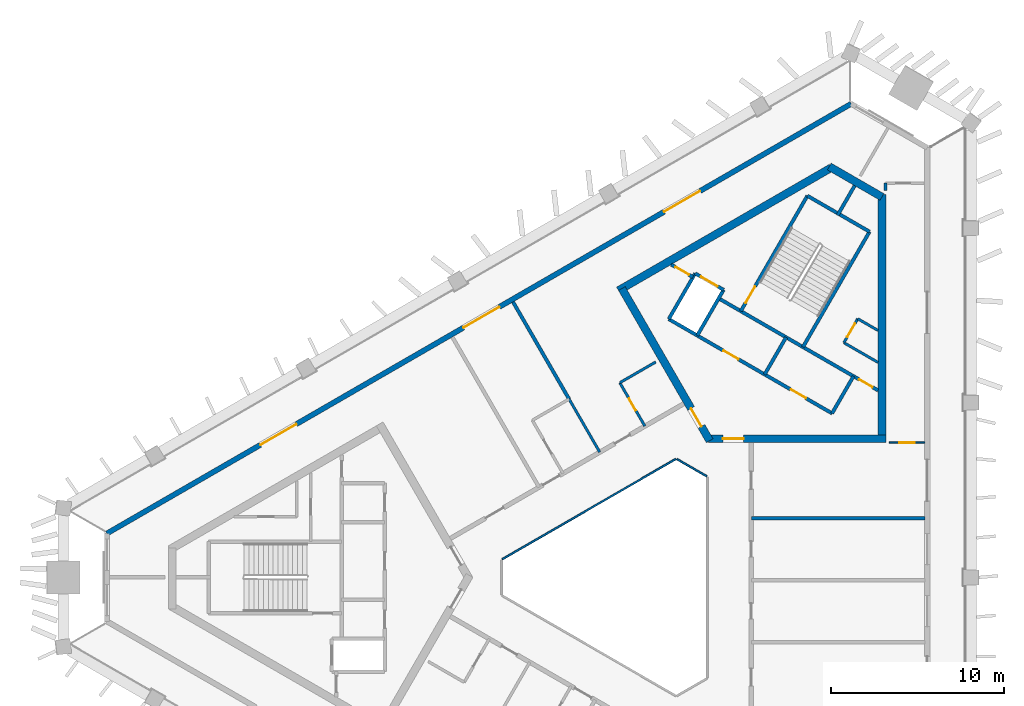
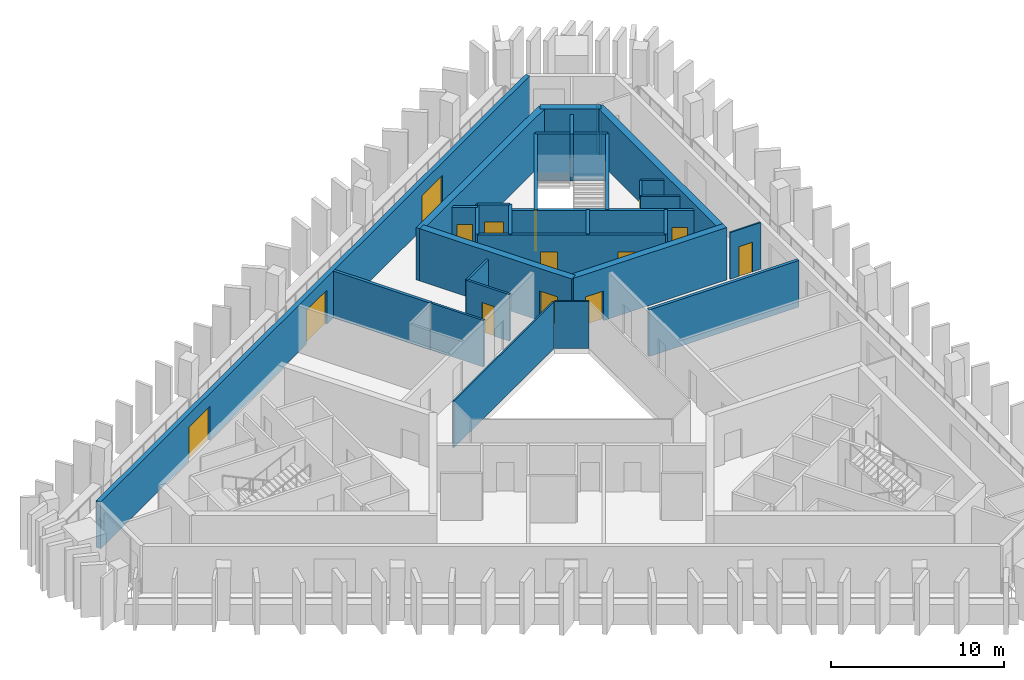
# One storey, part 5 of 9: 30 walls, 14 doors, 14 openings.
"""IFC4 building model written with IfcOpenShell, lengths in metres."""

from ifc_helpers import new_model, si_unit, direction, frame, frame_2d, origin, place, context, subcontext, project, spatial, rectangle, extrude, material, layer, layer_set, type_object, element, fill, save


model = new_model("IFC4")

# Units and contexts
model_context = context("Model", 3, precision=1e-05, world=origin(), true_north=direction((0.0, 1.0)))
body_context = subcontext(model_context, "Body", "Model", "MODEL_VIEW")
ifc_project = project(units=[si_unit("LENGTHUNIT", "METRE"), si_unit("AREAUNIT", "SQUARE_METRE"), si_unit("VOLUMEUNIT", "CUBIC_METRE"), si_unit("PLANEANGLEUNIT", "RADIAN"), si_unit("MASSUNIT", "GRAM", prefix="KILO")], contexts=[model_context])

# Site, building, storey
site_placement = place(None, origin())
site = spatial("IfcSite", under=ifc_project, at=site_placement, CompositionType="ELEMENT")
building_placement = place(site_placement, origin())
building = spatial("IfcBuilding", under=site, at=building_placement, Name="Jabali Bay Hotel Tower and Convention Centre", CompositionType="ELEMENT")
storey_placement = place(building_placement, frame((0.0, 0.0, 239.10009765625)))
storey = spatial("IfcBuildingStorey", under=building, at=storey_placement, Name="L59", CompositionType="ELEMENT", Elevation=239.10009765625)

# Walls
ifc_material_1 = material(Name="Fire-resistant glazing", Category="glass")
ifc_layer_1 = layer(ifc_material_1, 0.10009765625)
ifc_layer_set_1 = layer_set([ifc_layer_1], Name="Fire-resistant glazing")
wall_type_1 = type_object("IfcWallType", Name="Atrium glazed screen 100", PredefinedType="PARTITIONING", material=ifc_layer_set_1)
wall_1_placement = place(storey_placement, frame((79.530029296875, 85.84619140625, 0.0), z_axis=(0.0, 0.0, 1.0), x_axis=(-0.866041268327, 0.499972520799, 0.0)))
element("IfcWall", 1, at=wall_1_placement, inside=storey, type_object=wall_type_1, Name="Atrium screen 2 L59", PredefinedType="PARTITIONING", context=body_context, shape_type="SweptSolid", body=[
    extrude(rectangle(XDim=2.0, YDim=0.10009765625, at=frame_2d((1.0, 0.0))), origin(), (0.0, 0.0, 1.0), 3.2998046875),
])
wall_2_placement = place(storey_placement, frame((77.738037109375, 86.84619140625, 0.0), z_axis=(0.0, 0.0, 1.0), x_axis=(-0.866026658274, -0.499997827154, 0.0)))
element("IfcWall", 2, at=wall_2_placement, inside=storey, type_object=wall_type_1, Name="Atrium screen 3 L59", PredefinedType="PARTITIONING", context=body_context, shape_type="SweptSolid", body=[
    extrude(rectangle(XDim=11.58837890625, YDim=0.10009765625, at=frame_2d((5.794189453125, 0.0))), origin(), (0.0, 0.0, 1.0), 3.2998046875),
])
ifc_material_2 = material(Name="Concrete C40", Category="concrete")
ifc_layer_2 = layer(ifc_material_2, 0.199951171875)
ifc_layer_set_2 = layer_set([ifc_layer_2], Name="Concrete C40")
wall_type_2 = type_object("IfcWallType", Name="Core partition wall 200", PredefinedType="PARTITIONING", material=ifc_layer_set_2)
wall_3_placement = place(storey_placement, frame((87.090087890625, 100.9404296875, 0.0), z_axis=(0.0, 0.0, 1.0), x_axis=(0.500011643316, 0.866018681408, 0.0)))
element("IfcWall", 3, at=wall_3_placement, inside=storey, type_object=wall_type_2, Name="Core wall 1.4 L59", PredefinedType="PARTITIONING", context=body_context, shape_type="SweptSolid", body=[
    extrude(rectangle(XDim=1.97314453125, YDim=0.199951171875, at=frame_2d((0.986572265625, 0.0))), origin(), (0.0, 0.0, 1.0), 3.2998046875),
])

# Wall, opening, door
wall_4_placement = place(storey_placement, frame((78.730224609375, 97.36083984375, 0.0), z_axis=(0.0, 0.0, 1.0), x_axis=(-0.866045896294, 0.499964504253, 0.0)))
wall_4 = element("IfcWall", 4, at=wall_4_placement, inside=storey, type_object=wall_type_2, Name="Core wall 1.10 L59", PredefinedType="PARTITIONING", context=body_context, shape_type="SweptSolid", body=[
    extrude(rectangle(XDim=1.455078125, YDim=0.199951171875, at=frame_2d((0.7275390625, 0.0))), origin(), (0.0, 0.0, 1.0), 3.2998046875),
])
opening_1_placement = place(wall_4_placement, frame((0.277587890625, 0.0, 0.0)))
opening_1 = element("IfcOpeningElement", 5, at=opening_1_placement, cuts=wall_4, Name="Opening D1295", PredefinedType="OPENING", context=body_context, shape_type="SweptSolid", body=[
    extrude(rectangle(XDim=0.89990234375, YDim=2.10009765625, at=frame_2d((0.449951171875, 1.050048828125))), frame((0.0, 0.1103515625, 0.0), z_axis=(0.0, -1.0, 0.0), x_axis=(1.0, 0.0, 0.0)), (0.0, 0.0, 1.0), 0.220947265625),
])
ifc_material_3 = material(Name="Fire-rated steel door", Category="steel")
door_type_1 = type_object("IfcDoorType", Name="Vestibule fire door 900 x 2100", OperationType="NOTDEFINED", PredefinedType="NOTDEFINED", material=ifc_material_3)
door_1_placement = place(opening_1_placement, origin())
door_1 = element("IfcDoor", 6, at=door_1_placement, inside=storey, type_object=door_type_1, Name="Vestibule fire door D1295", OperationType="SINGLE_SWING_LEFT", OverallHeight=2.10009765625, OverallWidth=0.89990234375, PredefinedType="NOTDEFINED", context=body_context, shape_type="SweptSolid", body=[
    extrude(rectangle(XDim=0.89990234375, YDim=2.10009765625, at=frame_2d((0.449951171875, 1.050048828125))), frame((0.0, 0.02490234375, 0.0), z_axis=(0.0, -1.0, 0.0), x_axis=(1.0, 0.0, 0.0)), (0.0, 0.0, 1.0), 0.050048828125),
])
fill(opening_1, door_1)

ifc_material_4 = material(Name="Fire-rated board partition")
ifc_layer_3 = layer(ifc_material_4, 0.14990234375)
ifc_layer_set_3 = layer_set([ifc_layer_3], Name="Fire-rated board partition")
wall_type_3 = type_object("IfcWallType", Name="Core room partition 150", PredefinedType="PARTITIONING", material=ifc_layer_set_3)
wall_5_placement = place(storey_placement, frame((87.4541015625, 93.571044921875, 0.0), z_axis=(0.0, 0.0, 1.0), x_axis=(0.499995408039, 0.866028054938, 0.0)))
wall_5 = element("IfcWall", 7, at=wall_5_placement, inside=storey, type_object=wall_type_3, Name="Core wall 1.1 L59", PredefinedType="PARTITIONING", context=body_context, shape_type="SweptSolid", body=[
    extrude(rectangle(XDim=1.60009765625, YDim=0.14990234375, at=frame_2d((0.800048828125, 0.0))), origin(), (0.0, 0.0, 1.0), 3.2998046875),
])
opening_2_placement = place(wall_5_placement, frame((0.387451171875, 0.0, 0.0)))
opening_2 = element("IfcOpeningElement", 8, at=opening_2_placement, cuts=wall_5, Name="Opening D1298", PredefinedType="OPENING", context=body_context, shape_type="SweptSolid", body=[
    extrude(rectangle(XDim=0.89990234375, YDim=2.10009765625, at=frame_2d((0.449951171875, 1.050048828125))), frame((0.0, 0.08544921875, 0.0), z_axis=(0.0, -1.0, 0.0), x_axis=(1.0, 0.0, 0.0)), (0.0, 0.0, 1.0), 0.1708984375),
])
door_type_2 = type_object("IfcDoorType", Name="Core room door 900 x 2100", OperationType="NOTDEFINED", PredefinedType="NOTDEFINED", material=ifc_material_3)
door_2_placement = place(opening_2_placement, origin())
door_2 = element("IfcDoor", 9, at=door_2_placement, inside=storey, type_object=door_type_2, Name="Core room door D1298", OperationType="SINGLE_SWING_LEFT", OverallHeight=2.10009765625, OverallWidth=0.89990234375, PredefinedType="NOTDEFINED", context=body_context, shape_type="SweptSolid", body=[
    extrude(rectangle(XDim=0.89990234375, YDim=2.10009765625, at=frame_2d((0.449951171875, 1.050048828125))), frame((0.0, 0.02490234375, 0.0), z_axis=(0.0, -1.0, 0.0), x_axis=(1.0, 0.0, 0.0)), (0.0, 0.0, 1.0), 0.050048828125),
])
fill(opening_2, door_2)

# Walls
wall_6_placement = place(storey_placement, frame((89.429931640625, 92.430419921875, 0.0), z_axis=(0.0, 0.0, 1.0), x_axis=(-0.866048373726, 0.499960212783, 0.0)))
element("IfcWall", 10, at=wall_6_placement, inside=storey, type_object=wall_type_3, Name="Core wall 1.12 L59", PredefinedType="PARTITIONING", context=body_context, shape_type="SweptSolid", body=[
    extrude(rectangle(XDim=2.281494140625, YDim=0.14990234375, at=frame_2d((1.140625, 0.0))), origin(), (0.0, 0.0, 1.0), 3.2998046875),
])
wall_7_placement = place(storey_placement, frame((89.429931640625, 94.27783203125, 0.0), z_axis=(0.0, 0.0, 1.0), x_axis=(-0.865987941628, 0.500064880745, 0.0)))
element("IfcWall", 11, at=wall_7_placement, inside=storey, type_object=wall_type_3, Name="Core wall 1.13 L59", PredefinedType="PARTITIONING", context=body_context, shape_type="SweptSolid", body=[
    extrude(rectangle(XDim=1.357666015625, YDim=0.14990234375, at=frame_2d((0.6787109375, 0.0))), origin(), (0.0, 0.0, 1.0), 3.2998046875),
])
ifc_layer_4 = layer(ifc_material_2, 0.199951171875)
ifc_layer_set_4 = layer_set([ifc_layer_4], Name="Concrete C40")
wall_type_4 = type_object("IfcWallType", Name="Core stair wall 200", PredefinedType="SOLIDWALL", material=ifc_layer_set_4)
wall_8_placement = place(storey_placement, frame((86.769775390625, 89.48583984375, 0.0), z_axis=(0.0, 0.0, 1.0), x_axis=(0.499961042966, 0.86604789447, 0.0)))
element("IfcWall", 12, at=wall_8_placement, inside=storey, type_object=wall_type_4, Name="Core wall 1.0 L59", PredefinedType="SOLIDWALL", context=body_context, shape_type="SweptSolid", body=[
    extrude(rectangle(XDim=2.480224609375, YDim=0.199951171875, at=frame_2d((1.240234375, 0.0))), origin(), (0.0, 0.0, 1.0), 3.2998046875),
])
wall_9_placement = place(storey_placement, frame((85.0869140625, 93.3212890625, 0.0), z_axis=(0.0, 0.0, 1.0), x_axis=(0.500019787375, 0.866013979237, 0.0)))
element("IfcWall", 13, at=wall_9_placement, inside=storey, type_object=wall_type_4, Name="Core wall 1.2 L59", PredefinedType="SOLIDWALL", context=body_context, shape_type="SweptSolid", body=[
    extrude(rectangle(XDim=7.699951171875, YDim=0.199951171875, at=frame_2d((3.85009765625, 0.0))), origin(), (0.0, 0.0, 1.0), 3.2998046875),
])
wall_10_placement = place(storey_placement, frame((82.872802734375, 91.73583984375, 0.0), z_axis=(0.0, 0.0, 1.0), x_axis=(0.499961042966, 0.86604789447, 0.0)))
element("IfcWall", 14, at=wall_10_placement, inside=storey, type_object=wall_type_4, Name="Core wall 1.3 L59", PredefinedType="SOLIDWALL", context=body_context, shape_type="SweptSolid", body=[
    extrude(rectangle(XDim=2.480224609375, YDim=0.199951171875, at=frame_2d((1.240234375, 0.0))), origin(), (0.0, 0.0, 1.0), 3.2998046875),
])

# Wall, opening, door
wall_11_placement = place(storey_placement, frame((81.492919921875, 95.396240234375, 0.0), z_axis=(0.0, 0.0, 1.0), x_axis=(0.500006057782, 0.866021906294, 0.0)))
wall_11 = element("IfcWall", 15, at=wall_11_placement, inside=storey, type_object=wall_type_4, Name="Core wall 1.5 L59", PredefinedType="SOLIDWALL", context=body_context, shape_type="SweptSolid", body=[
    extrude(rectangle(XDim=7.7001953125, YDim=0.199951171875, at=frame_2d((3.85009765625, 0.0))), origin(), (0.0, 0.0, 1.0), 3.2998046875),
])
opening_3_placement = place(wall_11_placement, frame((0.550048828125, 0.0, 0.0)))
opening_3 = element("IfcOpeningElement", 16, at=opening_3_placement, cuts=wall_11, Name="Opening D1297", PredefinedType="OPENING", context=body_context, shape_type="SweptSolid", body=[
    extrude(rectangle(XDim=1.10009765625, YDim=2.10009765625, at=frame_2d((0.550048828125, 1.050048828125))), frame((0.0, 0.1103515625, 0.0), z_axis=(0.0, -1.0, 0.0), x_axis=(1.0, 0.0, 0.0)), (0.0, 0.0, 1.0), 0.220947265625),
])
door_type_3 = type_object("IfcDoorType", Name="Stair fire door 1100 x 2100", OperationType="NOTDEFINED", PredefinedType="NOTDEFINED", material=ifc_material_3)
door_3_placement = place(opening_3_placement, origin())
door_3 = element("IfcDoor", 17, at=door_3_placement, inside=storey, type_object=door_type_3, Name="Stair fire door D1297", OperationType="SINGLE_SWING_RIGHT", OverallHeight=2.10009765625, OverallWidth=1.10009765625, PredefinedType="NOTDEFINED", context=body_context, shape_type="SweptSolid", body=[
    extrude(rectangle(XDim=1.10009765625, YDim=2.10009765625, at=frame_2d((0.550048828125, 1.050048828125))), frame((0.0, 0.02490234375, 0.0), z_axis=(0.0, -1.0, 0.0), x_axis=(1.0, 0.0, 0.0)), (0.0, 0.0, 1.0), 0.050048828125),
])
fill(opening_3, door_3)

# Walls
for number, where, z_axis, x_axis, name in (
    (18, (78.9755859375, 93.98583984375, 0.0), (0.0, 0.0, 1.0), (0.499944174705, 0.866057632134, 0.0), "Core wall 1.6 L59"),
    (19, (77.330078125, 94.93603515625, 0.0), (0.0, 0.0, 1.0), (0.500038867431, 0.8660029625, 0.0), "Core wall 1.7 L59"),
):
    element("IfcWall", number, at=place(storey_placement, frame(where, z_axis=z_axis, x_axis=x_axis)), inside=storey, type_object=wall_type_4, Name=name, PredefinedType="SOLIDWALL", context=body_context, shape_type="SweptSolid", body=[
        extrude(rectangle(XDim=3.050048828125, YDim=0.199951171875, at=frame_2d((1.52490234375, 0.0))), origin(), (0.0, 0.0, 1.0), 3.2998046875),
    ])

# Wall, openings, doors
wall_12_placement = place(storey_placement, frame((86.769775390625, 89.48583984375, 0.0), z_axis=(0.0, 0.0, 1.0), x_axis=(-0.86601811187, 0.500012629753, 0.0)))
wall_12 = element("IfcWall", 20, at=wall_12_placement, inside=storey, type_object=wall_type_4, Name="Core wall 1.8 L59", PredefinedType="SOLIDWALL", context=body_context, shape_type="SweptSolid", body=[
    extrude(rectangle(XDim=10.900146484375, YDim=0.199951171875, at=frame_2d((5.4501953125, 0.0))), origin(), (0.0, 0.0, 1.0), 3.2998046875),
])
opening_4_placement = place(wall_12_placement, frame((1.75, 0.0, 0.0)))
opening_4 = element("IfcOpeningElement", 21, at=opening_4_placement, cuts=wall_12, Name="Opening D1293", PredefinedType="OPENING", context=body_context, shape_type="SweptSolid", body=[
    extrude(rectangle(XDim=1.0, YDim=2.10009765625, at=frame_2d((0.5, 1.050048828125))), frame((0.0, 0.1103515625, 0.0), z_axis=(0.0, -1.0, 0.0), x_axis=(1.0, 0.0, 0.0)), (0.0, 0.0, 1.0), 0.220947265625),
])
opening_5_placement = place(wall_12_placement, frame((6.25, 0.0, 0.0)))
opening_5 = element("IfcOpeningElement", 22, at=opening_5_placement, cuts=wall_12, Name="Opening D1294", PredefinedType="OPENING", context=body_context, shape_type="SweptSolid", body=[
    extrude(rectangle(XDim=1.0, YDim=2.10009765625, at=frame_2d((0.5, 1.050048828125))), frame((0.0, 0.1103515625, 0.0), z_axis=(0.0, -1.0, 0.0), x_axis=(1.0, 0.0, 0.0)), (0.0, 0.0, 1.0), 0.220947265625),
])
door_type_4 = type_object("IfcDoorType", Name="Core room door 1000 x 2100", OperationType="NOTDEFINED", PredefinedType="NOTDEFINED", material=ifc_material_3)
door_4_placement = place(opening_4_placement, origin())
door_4 = element("IfcDoor", 23, at=door_4_placement, inside=storey, type_object=door_type_4, Name="Core room door D1293", OperationType="SINGLE_SWING_RIGHT", OverallHeight=2.10009765625, OverallWidth=1.0, PredefinedType="NOTDEFINED", context=body_context, shape_type="SweptSolid", body=[
    extrude(rectangle(XDim=1.0, YDim=2.10009765625, at=frame_2d((0.5, 1.050048828125))), frame((0.0, 0.02490234375, 0.0), z_axis=(0.0, -1.0, 0.0), x_axis=(1.0, 0.0, 0.0)), (0.0, 0.0, 1.0), 0.050048828125),
])
fill(opening_4, door_4)
door_5_placement = place(opening_5_placement, origin())
door_5 = element("IfcDoor", 24, at=door_5_placement, inside=storey, type_object=door_type_4, Name="Core room door D1294", OperationType="SINGLE_SWING_RIGHT", OverallHeight=2.10009765625, OverallWidth=1.0, PredefinedType="NOTDEFINED", context=body_context, shape_type="SweptSolid", body=[
    extrude(rectangle(XDim=1.0, YDim=2.10009765625, at=frame_2d((0.5, 1.050048828125))), frame((0.0, 0.02490234375, 0.0), z_axis=(0.0, -1.0, 0.0), x_axis=(1.0, 0.0, 0.0)), (0.0, 0.0, 1.0), 0.050048828125),
])
fill(opening_5, door_5)

# Wall, opening, door
wall_13_placement = place(storey_placement, frame((89.429931640625, 90.813720703125, 0.0), z_axis=(0.0, 0.0, 1.0), x_axis=(-0.866018983788, 0.500011119594, 0.0)))
wall_13 = element("IfcWall", 25, at=wall_13_placement, inside=storey, type_object=wall_type_4, Name="Core wall 1.9 L59", PredefinedType="SOLIDWALL", context=body_context, shape_type="SweptSolid", body=[
    extrude(rectangle(XDim=10.639892578125, YDim=0.199951171875, at=frame_2d((5.31982421875, 0.0))), origin(), (0.0, 0.0, 1.0), 3.2998046875),
])
opening_6_placement = place(wall_13_placement, frame((0.369873046875, 0.0, 0.0)))
opening_6 = element("IfcOpeningElement", 26, at=opening_6_placement, cuts=wall_13, Name="Opening D1296", PredefinedType="OPENING", context=body_context, shape_type="SweptSolid", body=[
    extrude(rectangle(XDim=0.89990234375, YDim=2.10009765625, at=frame_2d((0.449951171875, 1.050048828125))), frame((0.0, 0.1103515625, 0.0), z_axis=(0.0, -1.0, 0.0), x_axis=(1.0, 0.0, 0.0)), (0.0, 0.0, 1.0), 0.220947265625),
])
door_6_placement = place(opening_6_placement, origin())
door_6 = element("IfcDoor", 27, at=door_6_placement, inside=storey, type_object=door_type_1, Name="Vestibule fire door D1296", OperationType="SINGLE_SWING_LEFT", OverallHeight=2.10009765625, OverallWidth=0.89990234375, PredefinedType="NOTDEFINED", context=body_context, shape_type="SweptSolid", body=[
    extrude(rectangle(XDim=0.89990234375, YDim=2.10009765625, at=frame_2d((0.449951171875, 1.050048828125))), frame((0.0, 0.02490234375, 0.0), z_axis=(0.0, -1.0, 0.0), x_axis=(1.0, 0.0, 0.0)), (0.0, 0.0, 1.0), 0.050048828125),
])
fill(opening_6, door_6)

wall_14_placement = place(storey_placement, frame((80.50048828125, 96.62744140625, 0.0), z_axis=(0.0, 0.0, 1.0), x_axis=(-0.86601224135, 0.500022797313, 0.0)))
wall_14 = element("IfcWall", 28, at=wall_14_placement, inside=storey, type_object=wall_type_4, Name="Core wall 1.11 L59", PredefinedType="SOLIDWALL", context=body_context, shape_type="SweptSolid", body=[
    extrude(rectangle(XDim=1.89990234375, YDim=0.199951171875, at=frame_2d((0.949951171875, 0.0))), origin(), (0.0, 0.0, 1.0), 3.2998046875),
])
opening_7_placement = place(wall_14_placement, frame((0.39990234375, 0.0, 0.0)))
opening_7 = element("IfcOpeningElement", 29, at=opening_7_placement, cuts=wall_14, Name="Opening LD10-L59", PredefinedType="OPENING", context=body_context, shape_type="SweptSolid", body=[
    extrude(rectangle(XDim=1.10009765625, YDim=2.10009765625, at=frame_2d((0.550048828125, 1.050048828125))), frame((0.0, 0.1103515625, 0.0), z_axis=(0.0, -1.0, 0.0), x_axis=(1.0, 0.0, 0.0)), (0.0, 0.0, 1.0), 0.220947265625),
])
ifc_material_5 = material(Name="Stainless steel landing door", Category="steel")
door_type_5 = type_object("IfcDoorType", Name="Landing door 1100 x 2100", OperationType="NOTDEFINED", PredefinedType="NOTDEFINED", material=ifc_material_5)
door_7_placement = place(opening_7_placement, origin())
door_7 = element("IfcDoor", 30, at=door_7_placement, inside=storey, type_object=door_type_5, Name="Landing doors LD10-L59", OperationType="SLIDING_TO_RIGHT", OverallHeight=2.10009765625, OverallWidth=1.10009765625, PredefinedType="NOTDEFINED", context=body_context, shape_type="SweptSolid", body=[
    extrude(rectangle(XDim=1.10009765625, YDim=2.10009765625, at=frame_2d((0.550048828125, 1.050048828125))), frame((0.0, 0.02490234375, 0.0), z_axis=(0.0, -1.0, 0.0), x_axis=(1.0, 0.0, 0.0)), (0.0, 0.0, 1.0), 0.050048828125),
])
fill(opening_7, door_7)

# Wall
wall_15_placement = place(storey_placement, frame((88.93701171875, 99.989501953125, 0.0), z_axis=(0.0, 0.0, 1.0), x_axis=(-0.866004344652, 0.500036473714, 0.0)))
element("IfcWall", 31, at=wall_15_placement, inside=storey, type_object=wall_type_4, Name="Core wall 1.14 L59", PredefinedType="SOLIDWALL", context=body_context, shape_type="SweptSolid", body=[
    extrude(rectangle(XDim=4.150146484375, YDim=0.199951171875, at=frame_2d((2.0751953125, 0.0))), origin(), (0.0, 0.0, 1.0), 3.2998046875),
])

# Wall, opening, door
ifc_material_6 = material(Name="Concrete C60", Category="concrete")
ifc_layer_5 = layer(ifc_material_6, 0.449951171875)
ifc_layer_set_5 = layer_set([ifc_layer_5], Name="Concrete C60")
wall_type_5 = type_object("IfcWallType", Name="Core wall 450", PredefinedType="SHEAR", material=ifc_layer_set_5)
wall_16_placement = place(storey_placement, frame((79.6298828125, 88.019287109375, 0.0), z_axis=(0.0, 0.0, 1.0), x_axis=(1.0, 0.0, 0.0)))
wall_16 = element("IfcWall", 32, at=wall_16_placement, inside=storey, type_object=wall_type_5, Name="Core wall 2.1 L59", PredefinedType="SHEAR", context=body_context, shape_type="SweptSolid", body=[
    extrude(rectangle(XDim=10.25, YDim=0.449951171875, at=frame_2d((5.125, 0.0))), origin(), (0.0, 0.0, 1.0), 3.699951171875),
])
opening_8_placement = place(wall_16_placement, frame((0.820068359375, 0.0, 0.0)))
opening_8 = element("IfcOpeningElement", 33, at=opening_8_placement, cuts=wall_16, Name="Opening D1291", PredefinedType="OPENING", context=body_context, shape_type="SweptSolid", body=[
    extrude(rectangle(XDim=1.199951171875, YDim=2.10009765625, at=frame_2d((0.60009765625, 1.050048828125))), frame((0.0, 0.2353515625, 0.0), z_axis=(0.0, -1.0, 0.0), x_axis=(1.0, 0.0, 0.0)), (0.0, 0.0, 1.0), 0.470947265625),
])
door_type_6 = type_object("IfcDoorType", Name="Corridor end fire door 1200 x 2100", OperationType="NOTDEFINED", PredefinedType="NOTDEFINED", material=ifc_material_3)
door_8_placement = place(opening_8_placement, origin())
door_8 = element("IfcDoor", 34, at=door_8_placement, inside=storey, type_object=door_type_6, Name="Corridor end fire door D1291", OperationType="SINGLE_SWING_RIGHT", OverallHeight=2.10009765625, OverallWidth=1.199951171875, PredefinedType="NOTDEFINED", context=body_context, shape_type="SweptSolid", body=[
    extrude(rectangle(XDim=1.199951171875, YDim=2.10009765625, at=frame_2d((0.60009765625, 1.050048828125))), frame((0.0, 0.02490234375, 0.0), z_axis=(0.0, -1.0, 0.0), x_axis=(1.0, 0.0, 0.0)), (0.0, 0.0, 1.0), 0.050048828125),
])
fill(opening_8, door_8)

# Walls
wall_17_placement = place(storey_placement, frame((89.655029296875, 88.019287109375, 0.0), z_axis=(0.0, 0.0, 1.0), x_axis=(0.0, 1.0, 0.0)))
element("IfcWall", 35, at=wall_17_placement, inside=storey, type_object=wall_type_5, Name="Core wall 2.2 L59", PredefinedType="SHEAR", context=body_context, shape_type="SweptSolid", body=[
    extrude(rectangle(XDim=14.1083984375, YDim=0.449951171875, at=frame_2d((7.05419921875, 0.0))), origin(), (0.0, 0.0, 1.0), 3.699951171875),
])
wall_18_placement = place(storey_placement, frame((89.655029296875, 101.997802734375, 0.0), z_axis=(0.0, 0.0, 1.0), x_axis=(-0.866042179588, 0.49997094233, 0.0)))
element("IfcWall", 36, at=wall_18_placement, inside=storey, type_object=wall_type_5, Name="Core wall 2.3 L59", PredefinedType="SHEAR", context=body_context, shape_type="SweptSolid", body=[
    extrude(rectangle(XDim=3.515380859375, YDim=0.449951171875, at=frame_2d((1.7578125, 0.0))), origin(), (0.0, 0.0, 1.0), 3.699951171875),
])
wall_19_placement = place(storey_placement, frame((86.72314453125, 103.6904296875, 0.0), z_axis=(0.0, 0.0, 1.0), x_axis=(-0.866022713978, -0.500004658852, 0.0)))
element("IfcWall", 37, at=wall_19_placement, inside=storey, type_object=wall_type_5, Name="Core wall 2.4 L59", PredefinedType="SHEAR", context=body_context, shape_type="SweptSolid", body=[
    extrude(rectangle(XDim=14.203369140625, YDim=0.449951171875, at=frame_2d((7.1015625, 0.0))), origin(), (0.0, 0.0, 1.0), 3.699951171875),
])

# Wall, opening, door
wall_20_placement = place(storey_placement, frame((74.617431640625, 96.701171875, 0.0), z_axis=(0.0, 0.0, 1.0), x_axis=(0.499994385119, -0.866028645513, 0.0)))
wall_20 = element("IfcWall", 38, at=wall_20_placement, inside=storey, type_object=wall_type_5, Name="Core wall 2.5 L59", PredefinedType="SHEAR", context=body_context, shape_type="SweptSolid", body=[
    extrude(rectangle(XDim=10.15478515625, YDim=0.449951171875, at=frame_2d((5.077392578125, 0.0))), origin(), (0.0, 0.0, 1.0), 3.699951171875),
])
opening_9_placement = place(wall_20_placement, frame((8.0048828125, 0.0, 0.0)))
opening_9 = element("IfcOpeningElement", 39, at=opening_9_placement, cuts=wall_20, Name="Opening D1292", PredefinedType="OPENING", context=body_context, shape_type="SweptSolid", body=[
    extrude(rectangle(XDim=1.199951171875, YDim=2.10009765625, at=frame_2d((0.60009765625, 1.050048828125))), frame((0.0, 0.2353515625, 0.0), z_axis=(0.0, -1.0, 0.0), x_axis=(1.0, 0.0, 0.0)), (0.0, 0.0, 1.0), 0.470947265625),
])
door_9_placement = place(opening_9_placement, origin())
door_9 = element("IfcDoor", 40, at=door_9_placement, inside=storey, type_object=door_type_6, Name="Corridor end fire door D1292", OperationType="SINGLE_SWING_LEFT", OverallHeight=2.10009765625, OverallWidth=1.199951171875, PredefinedType="NOTDEFINED", context=body_context, shape_type="SweptSolid", body=[
    extrude(rectangle(XDim=1.199951171875, YDim=2.10009765625, at=frame_2d((0.60009765625, 1.050048828125))), frame((0.0, 0.02490234375, 0.0), z_axis=(0.0, -1.0, 0.0), x_axis=(1.0, 0.0, 0.0)), (0.0, 0.0, 1.0), 0.050048828125),
])
fill(opening_9, door_9)

# Wall, openings, doors
ifc_layer_6 = layer(ifc_material_2, 0.300048828125)
ifc_layer_set_6 = layer_set([ifc_layer_6], Name="Concrete C40")
wall_type_6 = type_object("IfcWallType", Name="External wall 300", PredefinedType="SOLIDWALL", material=ifc_layer_set_6)
wall_21_placement = place(storey_placement, frame((44.844970703125, 82.54150390625, 0.0), z_axis=(0.0, 0.0, 1.0), x_axis=(0.866025459945, 0.499999902727, 0.0)))
wall_21 = element("IfcWall", 41, at=wall_21_placement, inside=storey, type_object=wall_type_6, Name="External wall north-west face L59", PredefinedType="SOLIDWALL", context=body_context, shape_type="SweptSolid", body=[
    extrude(rectangle(XDim=49.6884765625, YDim=0.300048828125, at=frame_2d((24.84423828125, 0.0))), origin(), (0.0, 0.0, 1.0), 3.2998046875),
])
opening_10_placement = place(wall_21_placement, frame((23.800048828125, 0.0, 0.0)))
opening_10 = element("IfcOpeningElement", 42, at=opening_10_placement, cuts=wall_21, Name="Opening SD1", PredefinedType="OPENING", context=body_context, shape_type="SweptSolid", body=[
    extrude(rectangle(XDim=2.39990234375, YDim=2.39990234375, at=frame_2d((1.199951171875, 1.199951171875))), frame((0.0, 0.16064453125, 0.0), z_axis=(0.0, -1.0, 0.0), x_axis=(1.0, 0.0, 0.0)), (0.0, 0.0, 1.0), 0.321044921875),
])
opening_11_placement = place(wall_21_placement, frame((10.243408203125, 0.0, 0.0)))
opening_11 = element("IfcOpeningElement", 43, at=opening_11_placement, cuts=wall_21, Name="Opening SD1", PredefinedType="OPENING", context=body_context, shape_type="SweptSolid", body=[
    extrude(rectangle(XDim=2.39990234375, YDim=2.39990234375, at=frame_2d((1.199951171875, 1.199951171875))), frame((0.0, 0.16064453125, 0.0), z_axis=(0.0, -1.0, 0.0), x_axis=(1.0, 0.0, 0.0)), (0.0, 0.0, 1.0), 0.321044921875),
])
opening_12_placement = place(wall_21_placement, frame((37.200927734375, 0.0, 0.0)))
opening_12 = element("IfcOpeningElement", 44, at=opening_12_placement, cuts=wall_21, Name="Opening SD1", PredefinedType="OPENING", context=body_context, shape_type="SweptSolid", body=[
    extrude(rectangle(XDim=2.39990234375, YDim=2.39990234375, at=frame_2d((1.199951171875, 1.199951171875))), frame((0.0, 0.16064453125, 0.0), z_axis=(0.0, -1.0, 0.0), x_axis=(1.0, 0.0, 0.0)), (0.0, 0.0, 1.0), 0.321044921875),
])
ifc_material_7 = material(Name="Glass", Category="glass")
door_type_7 = type_object("IfcDoorType", Name="Loggia sliding door 2400 x 2400", OperationType="NOTDEFINED", PredefinedType="NOTDEFINED", material=ifc_material_7)
door_10_placement = place(opening_10_placement, origin())
door_10 = element("IfcDoor", 45, at=door_10_placement, inside=storey, type_object=door_type_7, Name="Loggia sliding door 5906", OperationType="SLIDING_TO_LEFT", OverallHeight=2.39990234375, OverallWidth=2.39990234375, PredefinedType="NOTDEFINED", context=body_context, shape_type="SweptSolid", body=[
    extrude(rectangle(XDim=2.39990234375, YDim=2.39990234375, at=frame_2d((1.199951171875, 1.199951171875))), frame((0.0, 0.02490234375, 0.0), z_axis=(0.0, -1.0, 0.0), x_axis=(1.0, 0.0, 0.0)), (0.0, 0.0, 1.0), 0.050048828125),
])
fill(opening_10, door_10)
door_11_placement = place(opening_11_placement, origin())
door_11 = element("IfcDoor", 46, at=door_11_placement, inside=storey, type_object=door_type_7, Name="Loggia sliding door 5907", OperationType="SLIDING_TO_RIGHT", OverallHeight=2.39990234375, OverallWidth=2.39990234375, PredefinedType="NOTDEFINED", context=body_context, shape_type="SweptSolid", body=[
    extrude(rectangle(XDim=2.39990234375, YDim=2.39990234375, at=frame_2d((1.199951171875, 1.199951171875))), frame((0.0, 0.02490234375, 0.0), z_axis=(0.0, -1.0, 0.0), x_axis=(1.0, 0.0, 0.0)), (0.0, 0.0, 1.0), 0.050048828125),
])
fill(opening_11, door_11)
door_12_placement = place(opening_12_placement, origin())
door_12 = element("IfcDoor", 47, at=door_12_placement, inside=storey, type_object=door_type_7, Name="Loggia sliding door 5905", OperationType="SLIDING_TO_LEFT", OverallHeight=2.39990234375, OverallWidth=2.39990234375, PredefinedType="NOTDEFINED", context=body_context, shape_type="SweptSolid", body=[
    extrude(rectangle(XDim=2.39990234375, YDim=2.39990234375, at=frame_2d((1.199951171875, 1.199951171875))), frame((0.0, 0.02490234375, 0.0), z_axis=(0.0, -1.0, 0.0), x_axis=(1.0, 0.0, 0.0)), (0.0, 0.0, 1.0), 0.050048828125),
])
fill(opening_12, door_12)

# Wall, opening, door
ifc_material_8 = material(Name="Plasterboard on steel stud", Category="steel")
ifc_layer_7 = layer(ifc_material_8, 0.10009765625)
ifc_layer_set_7 = layer_set([ifc_layer_7], Name="Plasterboard on steel stud")
wall_type_7 = type_object("IfcWallType", Name="Partition 100 unit", PredefinedType="PARTITIONING", material=ifc_layer_set_7)
wall_22_placement = place(storey_placement, frame((92.12939453125, 87.794189453125, 0.0), z_axis=(0.0, 0.0, 1.0), x_axis=(-1.0, 0.0, 0.0)))
wall_22 = element("IfcWall", 48, at=wall_22_placement, inside=storey, type_object=wall_type_7, Name="Partition P02 L59 009", PredefinedType="PARTITIONING", context=body_context, shape_type="SweptSolid", body=[
    extrude(rectangle(XDim=2.05029296875, YDim=0.10009765625, at=frame_2d((1.025146484375, 0.0))), origin(), (0.0, 0.0, 1.0), 3.2998046875),
])
opening_13_placement = place(wall_22_placement, frame((0.574951171875, 0.0, 0.0)))
opening_13 = element("IfcOpeningElement", 49, at=opening_13_placement, cuts=wall_22, Name="Opening 5907", PredefinedType="OPENING", context=body_context, shape_type="SweptSolid", body=[
    extrude(rectangle(XDim=0.89990234375, YDim=2.10009765625, at=frame_2d((0.449951171875, 1.050048828125))), frame((0.0, 0.060546875, 0.0), z_axis=(0.0, -1.0, 0.0), x_axis=(1.0, 0.0, 0.0)), (0.0, 0.0, 1.0), 0.12109375),
])
ifc_material_9 = material(Name="Timber", Category="wood")
door_type_8 = type_object("IfcDoorType", Name="Internal door 900 x 2100", OperationType="NOTDEFINED", PredefinedType="NOTDEFINED", material=ifc_material_9)
door_13_placement = place(opening_13_placement, origin())
door_13 = element("IfcDoor", 50, at=door_13_placement, inside=storey, type_object=door_type_8, Name="Door 5907", OperationType="SINGLE_SWING_LEFT", OverallHeight=2.10009765625, OverallWidth=0.89990234375, PredefinedType="NOTDEFINED", context=body_context, shape_type="SweptSolid", body=[
    extrude(rectangle(XDim=0.89990234375, YDim=2.10009765625, at=frame_2d((0.449951171875, 1.050048828125))), frame((0.0, 0.02490234375, 0.0), z_axis=(0.0, -1.0, 0.0), x_axis=(1.0, 0.0, 0.0)), (0.0, 0.0, 1.0), 0.050048828125),
])
fill(opening_13, door_13)

# Wall
ifc_layer_8 = layer(ifc_material_8, 0.14990234375)
ifc_layer_set_8 = layer_set([ifc_layer_8], Name="Plasterboard on steel stud")
wall_type_8 = type_object("IfcWallType", Name="Partition 150 wet", PredefinedType="PARTITIONING", material=ifc_layer_set_8)
wall_23_placement = place(storey_placement, frame((89.861083984375, 102.794189453125, 0.0), z_axis=(0.0, 0.0, 1.0), x_axis=(0.0, -1.0, 0.0)))
element("IfcWall", 51, at=wall_23_placement, inside=storey, type_object=wall_type_8, Name="Partition P03 L59 011", PredefinedType="PARTITIONING", context=body_context, shape_type="SweptSolid", body=[
    extrude(rectangle(XDim=0.42578125, YDim=0.14990234375, at=frame_2d((0.212890625, 0.0))), origin(), (0.0, 0.0, 1.0), 3.2998046875),
])

# Wall, opening, door
wall_24_placement = place(storey_placement, frame((75.9482421875, 88.745849609375, 0.0), z_axis=(0.0, 0.0, 1.0), x_axis=(-0.499987231761, 0.866032775405, 0.0)))
wall_24 = element("IfcWall", 52, at=wall_24_placement, inside=storey, type_object=wall_type_8, Name="Partition P03 L59 013", PredefinedType="PARTITIONING", context=body_context, shape_type="SweptSolid", body=[
    extrude(rectangle(XDim=2.89990234375, YDim=0.14990234375, at=frame_2d((1.449951171875, 0.0))), origin(), (0.0, 0.0, 1.0), 3.2998046875),
])
opening_14_placement = place(wall_24_placement, frame((1.050048828125, 0.0, 0.0)))
opening_14 = element("IfcOpeningElement", 53, at=opening_14_placement, cuts=wall_24, Name="Opening 5909", PredefinedType="OPENING", context=body_context, shape_type="SweptSolid", body=[
    extrude(rectangle(XDim=0.800048828125, YDim=2.10009765625, at=frame_2d((0.39990234375, 1.050048828125))), frame((0.0, 0.08544921875, 0.0), z_axis=(0.0, -1.0, 0.0), x_axis=(1.0, 0.0, 0.0)), (0.0, 0.0, 1.0), 0.1708984375),
])
door_type_9 = type_object("IfcDoorType", Name="En-suite door 800 x 2100", OperationType="NOTDEFINED", PredefinedType="NOTDEFINED", material=ifc_material_9)
door_14_placement = place(opening_14_placement, origin())
door_14 = element("IfcDoor", 54, at=door_14_placement, inside=storey, type_object=door_type_9, Name="Door 5909", OperationType="SINGLE_SWING_RIGHT", OverallHeight=2.10009765625, OverallWidth=0.800048828125, PredefinedType="NOTDEFINED", context=body_context, shape_type="SweptSolid", body=[
    extrude(rectangle(XDim=0.800048828125, YDim=2.10009765625, at=frame_2d((0.39990234375, 1.050048828125))), frame((0.0, 0.02490234375, 0.0), z_axis=(0.0, -1.0, 0.0), x_axis=(1.0, 0.0, 0.0)), (0.0, 0.0, 1.0), 0.050048828125),
])
fill(opening_14, door_14)

# Walls
wall_25_placement = place(storey_placement, frame((74.498291015625, 91.25732421875, 0.0), z_axis=(0.0, 0.0, 1.0), x_axis=(0.866038271014, 0.499977712642, 0.0)))
element("IfcWall", 55, at=wall_25_placement, inside=storey, type_object=wall_type_8, Name="Partition P03 L59 014", PredefinedType="PARTITIONING", context=body_context, shape_type="SweptSolid", body=[
    extrude(rectangle(XDim=2.40087890625, YDim=0.14990234375, at=frame_2d((1.200439453125, 0.0))), origin(), (0.0, 0.0, 1.0), 3.2998046875),
])
wall_26_placement = place(storey_placement, frame((71.566650390625, 90.3115234375, 0.0), z_axis=(0.0, 0.0, 1.0), x_axis=(0.500018392462, -0.866014784631, 0.0)))
element("IfcWall", 56, at=wall_26_placement, inside=storey, type_object=wall_type_8, Name="Partition P03 L59 016", PredefinedType="PARTITIONING", context=body_context, shape_type="SweptSolid", body=[
    extrude(rectangle(XDim=3.546630859375, YDim=0.14990234375, at=frame_2d((1.7734375, 0.0))), origin(), (0.0, 0.0, 1.0), 3.2998046875),
])
ifc_layer_9 = layer(ifc_material_8, 0.199951171875)
ifc_layer_set_9 = layer_set([ifc_layer_9], Name="Plasterboard on steel stud")
wall_type_9 = type_object("IfcWallType", Name="Partition 200 party", PredefinedType="PARTITIONING", material=ifc_layer_set_9)
wall_27_placement = place(storey_placement, frame((92.12939453125, 83.429443359375, 0.0), z_axis=(0.0, 0.0, 1.0), x_axis=(-1.0, 0.0, 0.0)))
element("IfcWall", 57, at=wall_27_placement, inside=storey, type_object=wall_type_9, Name="Partition P01 L59 008", PredefinedType="PARTITIONING", context=body_context, shape_type="SweptSolid", body=[
    extrude(rectangle(XDim=10.029296875, YDim=0.199951171875, at=frame_2d((5.0146484375, 0.0))), origin(), (0.0, 0.0, 1.0), 3.2998046875),
])
wall_28_placement = place(storey_placement, frame((68.3251953125, 95.92578125, 0.0), z_axis=(0.0, 0.0, 1.0), x_axis=(0.500007151825, -0.866021274637, 0.0)))
element("IfcWall", 58, at=wall_28_placement, inside=storey, type_object=wall_type_9, Name="Partition P01 L59 015", PredefinedType="PARTITIONING", context=body_context, shape_type="SweptSolid", body=[
    extrude(rectangle(XDim=6.48291015625, YDim=0.199951171875, at=frame_2d((3.241455078125, 0.0))), origin(), (0.0, 0.0, 1.0), 3.2998046875),
])

save(model, "model.ifc")
